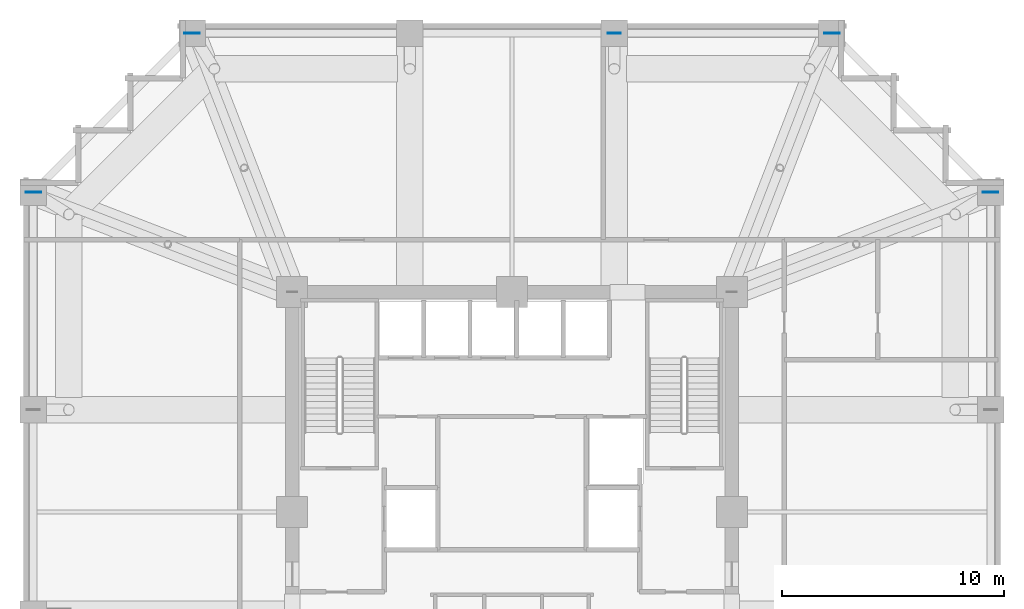
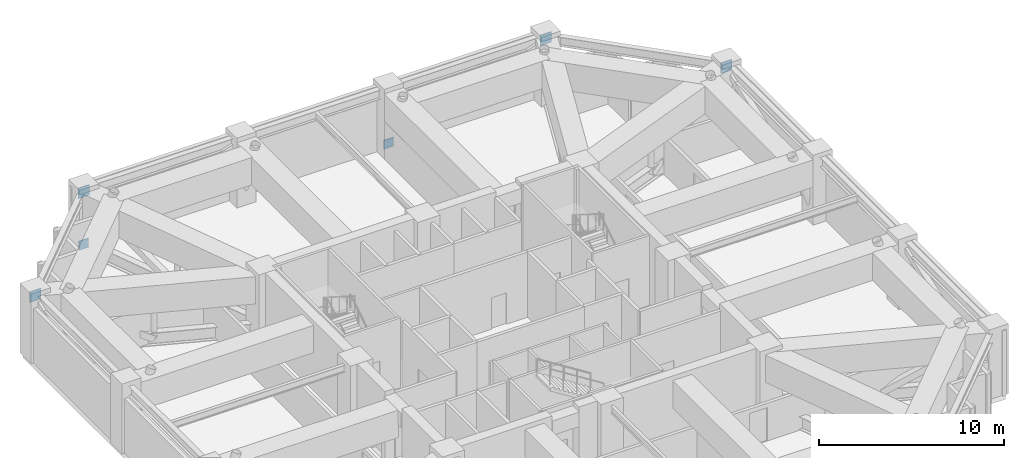
# One storey, part 11 of 15: 6 plates.
"""IFC4 building model written with IfcOpenShell, lengths in metres."""

from ifc_helpers import new_model, si_unit, direction, frame, origin, origin_2d, place, context, subcontext, project, spatial, rectangle, extrude, material, layer, layer_set, type_object, element, save


model = new_model("IFC4")

# Units and contexts
model_context = context("Model", 3, precision=1e-05, world=origin(), true_north=direction((0.0, 1.0)))
body_context = subcontext(model_context, "Body", "Model", "MODEL_VIEW")
ifc_project = project(units=[si_unit("LENGTHUNIT", "METRE"), si_unit("AREAUNIT", "SQUARE_METRE"), si_unit("VOLUMEUNIT", "CUBIC_METRE"), si_unit("PLANEANGLEUNIT", "RADIAN"), si_unit("MASSUNIT", "GRAM", prefix="KILO")], contexts=[model_context])

# Site, building, storey
site_placement = place(None, origin())
site = spatial("IfcSite", under=ifc_project, at=site_placement, CompositionType="ELEMENT")
building_placement = place(site_placement, origin())
building = spatial("IfcBuilding", under=site, at=building_placement, Name="Kolvaren Belvedere", CompositionType="ELEMENT")
storey_placement = place(building_placement, frame((0.0, 0.0, 63.39990234375)))
storey = spatial("IfcBuildingStorey", under=building, at=storey_placement, Name="L18", CompositionType="ELEMENT", Elevation=63.39990234375)

# Plates
ifc_material_1 = material(Name="Structural steel ASTM A572 Grade 50", Category="steel")
ifc_layer_1 = layer(ifc_material_1, 0.031982421875)
ifc_layer_set_1 = layer_set([ifc_layer_1], Name="Structural steel ASTM A572 Grade 50")
plate_type_1 = type_object("IfcPlateType", Name="PL-GUSSET-32", PredefinedType="USERDEFINED", material=ifc_layer_set_1)
for number, where, z_axis, x_axis, name in (
    (1, (-14.39990234375, 21.550048828125, 0.179931640625), (0.0, 0.0, 1.0), (1.0, 0.0, 0.0), "L18 Belt Truss Node Gusset BN-3"),
    (2, (4.60009765625, 21.550048828125, 0.179931640625), (0.0, 0.0, 1.0), (1.0, 0.0, 0.0), "L18 Belt Truss Node Gusset BN-4"),
):
    element("IfcPlate", number, at=place(storey_placement, frame(where, z_axis=z_axis, x_axis=x_axis)), inside=storey, type_object=plate_type_1, Name=name, ObjectType="GUSSET PLATE", PredefinedType="USERDEFINED", context=body_context, shape_type="SweptSolid", body=[
        extrude(rectangle(XDim=0.60009765625, YDim=0.031982421875, at=origin_2d()), origin(), (0.0, 0.0, 1.0), 0.60009765625),
    ])
ifc_material_2 = material(Name="Structural steel ASTM A572 Grade 50", Category="steel")
ifc_layer_2 = layer(ifc_material_2, 0.0400390625)
ifc_layer_set_2 = layer_set([ifc_layer_2], Name="Structural steel ASTM A572 Grade 50")
plate_type_2 = type_object("IfcPlateType", Name="PL-GUSSET-40", PredefinedType="USERDEFINED", material=ifc_layer_set_2)
for number, where, z_axis, x_axis, name in (
    (3, (14.39990234375, 21.550048828125, 3.60009765625), (0.0, 0.0, 1.0), (1.0, 0.0, 0.0), "L18 Outrigger Truss Node Gusset ON-5"),
    (4, (21.550048828125, 14.39990234375, 3.60009765625), (0.0, 0.0, 1.0), (1.0, 0.0, 0.0), "L18 Outrigger Truss Node Gusset ON-6"),
    (5, (-14.39990234375, 21.550048828125, 3.60009765625), (0.0, 0.0, 1.0), (1.0, 0.0, 0.0), "L18 Outrigger Truss Node Gusset ON-7"),
    (6, (-21.550048828125, 14.39990234375, 3.60009765625), (0.0, 0.0, 1.0), (1.0, 0.0, 0.0), "L18 Outrigger Truss Node Gusset ON-8"),
):
    element("IfcPlate", number, at=place(storey_placement, frame(where, z_axis=z_axis, x_axis=x_axis)), inside=storey, type_object=plate_type_2, Name=name, ObjectType="GUSSET PLATE", PredefinedType="USERDEFINED", context=body_context, shape_type="SweptSolid", body=[
        extrude(rectangle(XDim=0.699951171875, YDim=0.0400390625, at=origin_2d()), origin(), (0.0, 0.0, 1.0), 0.699951171875),
    ])

save(model, "model.ifc")
